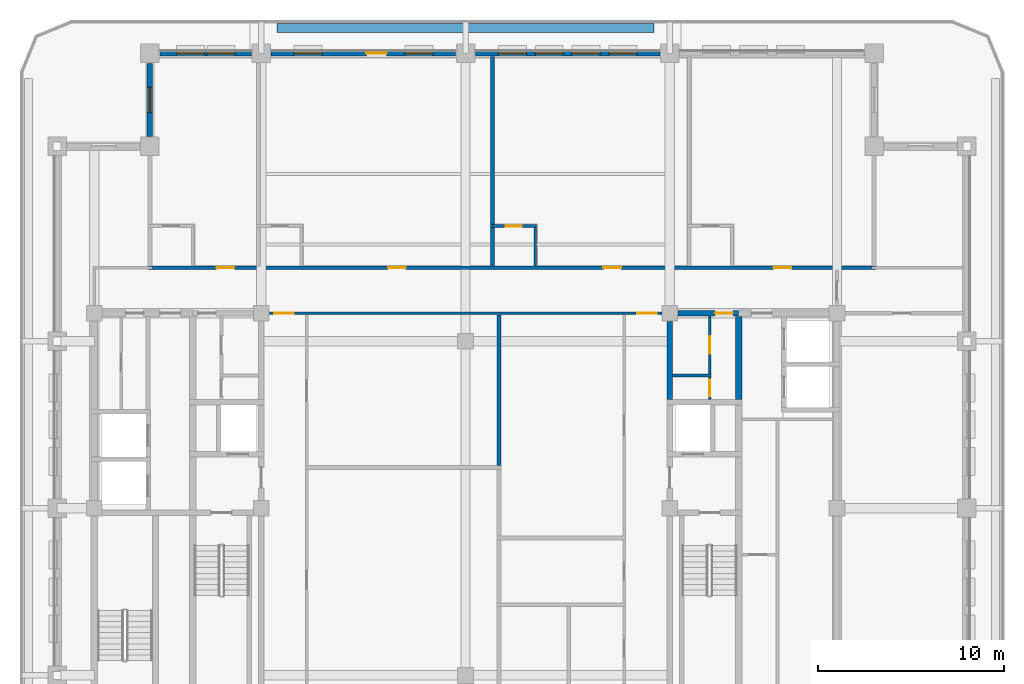
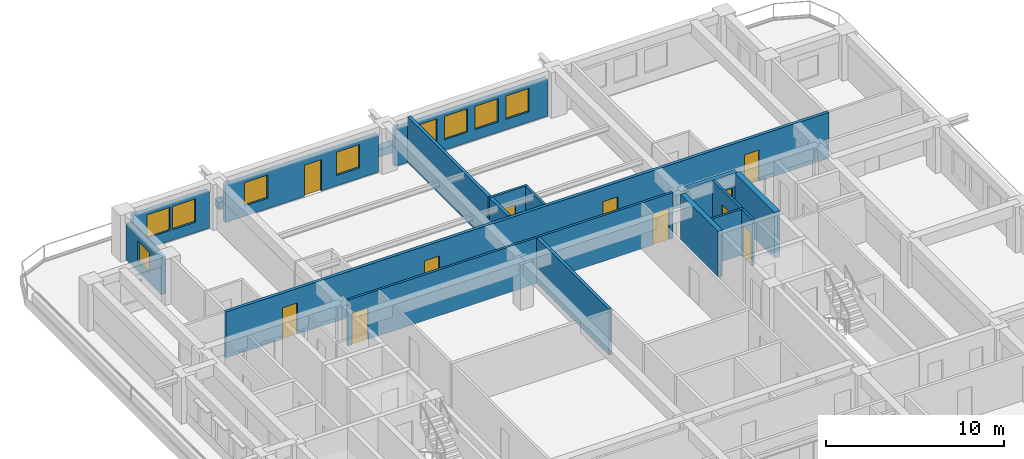
# One storey, part 6 of 14: 18 walls, 11 doors, 9 windows, 20 openings.
"""IFC4 building model written with IfcOpenShell, lengths in metres."""

from ifc_helpers import new_model, si_unit, direction, frame, frame_2d, origin, place, context, subcontext, project, spatial, rectangle, extrude, material, layer, layer_set, type_object, element, fill, save


model = new_model("IFC4")

# Units and contexts
model_context = context("Model", 3, precision=1e-05, world=origin(), true_north=direction((0.0, 1.0)))
body_context = subcontext(model_context, "Body", "Model", "MODEL_VIEW")
ifc_project = project(units=[si_unit("LENGTHUNIT", "METRE"), si_unit("AREAUNIT", "SQUARE_METRE"), si_unit("VOLUMEUNIT", "CUBIC_METRE"), si_unit("PLANEANGLEUNIT", "RADIAN"), si_unit("MASSUNIT", "GRAM", prefix="KILO")], contexts=[model_context])

# Site, building, storey
site_placement = place(None, origin())
site = spatial("IfcSite", under=ifc_project, at=site_placement, CompositionType="ELEMENT")
building_placement = place(site_placement, origin())
building = spatial("IfcBuilding", under=site, at=building_placement, Name="Zulmaris Gate Convention Tower", CompositionType="ELEMENT")
storey_placement = place(building_placement, frame((0.0, 0.0, 162.659912109375)))
storey = spatial("IfcBuildingStorey", under=building, at=storey_placement, Name="L41", CompositionType="ELEMENT", Elevation=162.659912109375)

# Wall, opening, door
ifc_material_1 = material(Name="Concrete C50/60", Category="concrete")
ifc_layer_1 = layer(ifc_material_1, 0.300048828125, Name="Concrete C50/60")
ifc_layer_set_1 = layer_set([ifc_layer_1], Name="Concrete C50/60")
wall_type_1 = type_object("IfcWallType", Name="CORE-300", PredefinedType="SHEAR", material=ifc_layer_set_1)
wall_1_placement = place(storey_placement, frame((11.428955078125, 10.5, 0.0), z_axis=(0.0, 0.0, 1.0), x_axis=(1.0, 0.0, 0.0)))
wall_1 = element("IfcWall", 1, at=wall_1_placement, inside=storey, type_object=wall_type_1, Name="WL-L41-017", PredefinedType="SHEAR", context=body_context, shape_type="SweptSolid", body=[
    extrude(rectangle(XDim=3.27099609375, YDim=0.300048828125, at=frame_2d((1.635498046875, 0.0))), origin(), (0.0, 0.0, 1.0), 3.14990234375),
])
opening_1_placement = place(wall_1_placement, frame((2.01611328125, 0.0, 0.0)))
opening_1 = element("IfcOpeningElement", 2, at=opening_1_placement, cuts=wall_1, Name="Opening D-11", PredefinedType="OPENING", context=body_context, shape_type="SweptSolid", body=[
    extrude(rectangle(XDim=0.949951171875, YDim=2.14990234375, at=frame_2d((0.47509765625, 1.074951171875))), frame((0.0, 0.16015625, 0.0), z_axis=(0.0, -1.0, 0.0), x_axis=(1.0, 0.0, 0.0)), (0.0, 0.0, 1.0), 0.320068359375),
])
ifc_material_2 = material(Name="Fire-Rated Timber", Category="wood")
door_type_1 = type_object("IfcDoorType", Name="DR-950-FD", OperationType="NOTDEFINED", PredefinedType="DOOR", material=ifc_material_2)
door_1_placement = place(opening_1_placement, origin())
door_1 = element("IfcDoor", 3, at=door_1_placement, inside=storey, type_object=door_type_1, Name="L41 Core East Passage Door 10", OperationType="SINGLE_SWING_LEFT", OverallHeight=2.14990234375, OverallWidth=0.949951171875, PredefinedType="DOOR", context=body_context, shape_type="SweptSolid", body=[
    extrude(rectangle(XDim=0.949951171875, YDim=2.14990234375, at=frame_2d((0.47509765625, 1.074951171875))), frame((0.0, 0.02490234375, 0.0), z_axis=(0.0, -1.0, 0.0), x_axis=(1.0, 0.0, 0.0)), (0.0, 0.0, 1.0), 0.050048828125),
])
fill(opening_1, door_1)

# Walls
wall_2_placement = place(storey_placement, frame((11.0, 5.85205078125, 0.0), z_axis=(0.0, 0.0, 1.0), x_axis=(0.0, 1.0, 0.0)))
element("IfcWall", 4, at=wall_2_placement, inside=storey, type_object=wall_type_1, Name="WL-L41-062", PredefinedType="SHEAR", context=body_context, shape_type="SweptSolid", body=[
    extrude(rectangle(XDim=4.218994140625, YDim=0.300048828125, at=frame_2d((2.109375, 0.0))), origin(), (0.0, 0.0, 1.0), 3.14990234375),
])
ifc_material_3 = material(Name="Concrete C55/67", Category="concrete")
ifc_layer_2 = layer(ifc_material_3, 0.35009765625, Name="Concrete C55/67")
ifc_layer_set_2 = layer_set([ifc_layer_2], Name="Concrete C55/67")
wall_type_2 = type_object("IfcWallType", Name="CORE-350", PredefinedType="SHEAR", material=ifc_layer_set_2)
wall_3_placement = place(storey_placement, frame((14.699951171875, 5.85205078125, 0.0), z_axis=(0.0, 0.0, 1.0), x_axis=(0.0, 1.0, 0.0)))
element("IfcWall", 5, at=wall_3_placement, inside=storey, type_object=wall_type_2, Name="WL-L41-068", PredefinedType="SHEAR", context=body_context, shape_type="SweptSolid", body=[
    extrude(rectangle(XDim=4.470947265625, YDim=0.35009765625, at=frame_2d((2.2353515625, 0.0))), origin(), (0.0, 0.0, 1.0), 3.14990234375),
])
ifc_material_4 = material(Name="Gypsum Metal Stud Partition")
ifc_layer_3 = layer(ifc_material_4, 0.14990234375, Name="Gypsum Metal Stud Partition")
ifc_layer_set_3 = layer_set([ifc_layer_3], Name="Gypsum Metal Stud Partition")
wall_type_3 = type_object("IfcWallType", Name="PART-150", PredefinedType="PARTITIONING", material=ifc_layer_set_3)
wall_4_placement = place(storey_placement, frame((11.153076171875, 7.14990234375, 0.0), z_axis=(0.0, 0.0, 1.0), x_axis=(1.0, 0.0, 0.0)))
element("IfcWall", 6, at=wall_4_placement, inside=storey, type_object=wall_type_3, Name="WL-L41-032", PredefinedType="PARTITIONING", context=body_context, shape_type="SweptSolid", body=[
    extrude(rectangle(XDim=2.072021484375, YDim=0.14990234375, at=frame_2d((1.0361328125, 0.0))), origin(), (0.0, 0.0, 1.0), 3.14990234375),
])

# Wall, openings, doors
wall_5_placement = place(storey_placement, frame((-10.569091796875, 10.5, 0.0), z_axis=(0.0, 0.0, 1.0), x_axis=(1.0, 0.0, 0.0)))
wall_5 = element("IfcWall", 7, at=wall_5_placement, inside=storey, type_object=wall_type_3, Name="WL-L41-033", PredefinedType="PARTITIONING", context=body_context, shape_type="SweptSolid", body=[
    extrude(rectangle(XDim=21.13818359375, YDim=0.14990234375, at=frame_2d((10.569091796875, 0.0))), origin(), (0.0, 0.0, 1.0), 3.14990234375),
])
opening_2_placement = place(wall_5_placement, frame((0.263916015625, 0.0, 0.0)))
opening_2 = element("IfcOpeningElement", 8, at=opening_2_placement, cuts=wall_5, Name="Opening D-09", PredefinedType="OPENING", context=body_context, shape_type="SweptSolid", body=[
    extrude(rectangle(XDim=1.050048828125, YDim=2.14990234375, at=frame_2d((0.52490234375, 1.074951171875))), frame((0.0, 0.0849609375, 0.0), z_axis=(0.0, -1.0, 0.0), x_axis=(1.0, 0.0, 0.0)), (0.0, 0.0, 1.0), 0.169921875),
])
opening_3_placement = place(wall_5_placement, frame((19.823974609375, 0.0, 0.0)))
opening_3 = element("IfcOpeningElement", 9, at=opening_3_placement, cuts=wall_5, Name="Opening D-09", PredefinedType="OPENING", context=body_context, shape_type="SweptSolid", body=[
    extrude(rectangle(XDim=1.050048828125, YDim=2.14990234375, at=frame_2d((0.52490234375, 1.074951171875))), frame((0.0, 0.0849609375, 0.0), z_axis=(0.0, -1.0, 0.0), x_axis=(1.0, 0.0, 0.0)), (0.0, 0.0, 1.0), 0.169921875),
])
ifc_material_5 = material(Name="Fire-Rated Steel", Category="steel")
door_type_2 = type_object("IfcDoorType", Name="DR-1050-FD", OperationType="NOTDEFINED", PredefinedType="DOOR", material=ifc_material_5)
door_2_placement = place(opening_2_placement, origin())
door_2 = element("IfcDoor", 10, at=door_2_placement, inside=storey, type_object=door_type_2, Name="L41 NW Hotel Loop Door 25", OperationType="SINGLE_SWING_RIGHT", OverallHeight=2.14990234375, OverallWidth=1.050048828125, PredefinedType="DOOR", context=body_context, shape_type="SweptSolid", body=[
    extrude(rectangle(XDim=1.050048828125, YDim=2.14990234375, at=frame_2d((0.52490234375, 1.074951171875))), frame((0.0, 0.02490234375, 0.0), z_axis=(0.0, -1.0, 0.0), x_axis=(1.0, 0.0, 0.0)), (0.0, 0.0, 1.0), 0.050048828125),
])
fill(opening_2, door_2)
door_3_placement = place(opening_3_placement, origin())
door_3 = element("IfcDoor", 11, at=door_3_placement, inside=storey, type_object=door_type_2, Name="L41 NE Hotel Loop Door 27", OperationType="SINGLE_SWING_RIGHT", OverallHeight=2.14990234375, OverallWidth=1.050048828125, PredefinedType="DOOR", context=body_context, shape_type="SweptSolid", body=[
    extrude(rectangle(XDim=1.050048828125, YDim=2.14990234375, at=frame_2d((0.52490234375, 1.074951171875))), frame((0.0, 0.02490234375, 0.0), z_axis=(0.0, -1.0, 0.0), x_axis=(1.0, 0.0, 0.0)), (0.0, 0.0, 1.0), 0.050048828125),
])
fill(opening_3, door_3)

# Wall, opening, door
wall_6_placement = place(storey_placement, frame((1.35009765625, 15.199951171875, 0.0), z_axis=(0.0, 0.0, 1.0), x_axis=(1.0, 0.0, 0.0)))
wall_6 = element("IfcWall", 12, at=wall_6_placement, inside=storey, type_object=wall_type_3, Name="WL-L41-040", PredefinedType="PARTITIONING", context=body_context, shape_type="SweptSolid", body=[
    extrude(rectangle(XDim=2.474853515625, YDim=0.14990234375, at=frame_2d((1.2373046875, 0.0))), origin(), (0.0, 0.0, 1.0), 3.14990234375),
])
opening_4_placement = place(wall_6_placement, frame((0.824951171875, 0.0, 0.0)))
opening_4 = element("IfcOpeningElement", 13, at=opening_4_placement, cuts=wall_6, Name="Opening D-17", PredefinedType="OPENING", context=body_context, shape_type="SweptSolid", body=[
    extrude(rectangle(XDim=0.85009765625, YDim=2.10009765625, at=frame_2d((0.425048828125, 1.050048828125))), frame((0.0, 0.0849609375, 0.0), z_axis=(0.0, -1.0, 0.0), x_axis=(1.0, 0.0, 0.0)), (0.0, 0.0, 1.0), 0.169921875),
])
ifc_material_6 = material(Name="Moisture-Resistant Hardwood Timber", Category="wood")
door_type_3 = type_object("IfcDoorType", Name="DR-850", OperationType="NOTDEFINED", PredefinedType="DOOR", material=ifc_material_6)
door_4_placement = place(opening_4_placement, origin())
door_4 = element("IfcDoor", 14, at=door_4_placement, inside=storey, type_object=door_type_3, Name="L41 En-Suite Door 34", OperationType="SINGLE_SWING_LEFT", OverallHeight=2.10009765625, OverallWidth=0.85009765625, PredefinedType="DOOR", context=body_context, shape_type="SweptSolid", body=[
    extrude(rectangle(XDim=0.85009765625, YDim=2.10009765625, at=frame_2d((0.425048828125, 1.050048828125))), frame((0.0, 0.02490234375, 0.0), z_axis=(0.0, -1.0, 0.0), x_axis=(1.0, 0.0, 0.0)), (0.0, 0.0, 1.0), 0.050048828125),
])
fill(opening_4, door_4)

# Wall
wall_7_placement = place(storey_placement, frame((3.75, 13.052978515625, 0.0), z_axis=(0.0, 0.0, 1.0), x_axis=(0.0, 1.0, 0.0)))
element("IfcWall", 15, at=wall_7_placement, inside=storey, type_object=wall_type_3, Name="WL-L41-099", PredefinedType="PARTITIONING", context=body_context, shape_type="SweptSolid", body=[
    extrude(rectangle(XDim=2.069091796875, YDim=0.14990234375, at=frame_2d((1.03466796875, 0.0))), origin(), (0.0, 0.0, 1.0), 3.14990234375),
])

# Wall, opening, door
wall_8_placement = place(storey_placement, frame((13.14990234375, 5.85302734375, 0.0), z_axis=(0.0, 0.0, 1.0), x_axis=(0.0, 1.0, 0.0)))
wall_8 = element("IfcWall", 16, at=wall_8_placement, inside=storey, type_object=wall_type_3, Name="WL-L41-109", PredefinedType="PARTITIONING", context=body_context, shape_type="SweptSolid", body=[
    extrude(rectangle(XDim=1.218994140625, YDim=0.14990234375, at=frame_2d((0.609375, 0.0))), origin(), (0.0, 0.0, 1.0), 3.14990234375),
])
opening_5_placement = place(wall_8_placement, frame((0.1689453125, 0.0, 0.0)))
opening_5 = element("IfcOpeningElement", 17, at=opening_5_placement, cuts=wall_8, Name="Opening D-12", PredefinedType="OPENING", context=body_context, shape_type="SweptSolid", body=[
    extrude(rectangle(XDim=0.89990234375, YDim=2.14990234375, at=frame_2d((0.449951171875, 1.074951171875))), frame((0.0, 0.0849609375, 0.0), z_axis=(0.0, -1.0, 0.0), x_axis=(1.0, 0.0, 0.0)), (0.0, 0.0, 1.0), 0.169921875),
])
door_type_4 = type_object("IfcDoorType", Name="DR-900-FD", OperationType="NOTDEFINED", PredefinedType="DOOR", material=ifc_material_2)
door_5_placement = place(opening_5_placement, origin())
door_5 = element("IfcDoor", 18, at=door_5_placement, inside=storey, type_object=door_type_4, Name="L41 Core Staff WC Door 11", OperationType="SINGLE_SWING_RIGHT", OverallHeight=2.14990234375, OverallWidth=0.89990234375, PredefinedType="DOOR", context=body_context, shape_type="SweptSolid", body=[
    extrude(rectangle(XDim=0.89990234375, YDim=2.14990234375, at=frame_2d((0.449951171875, 1.074951171875))), frame((0.0, 0.02490234375, 0.0), z_axis=(0.0, -1.0, 0.0), x_axis=(1.0, 0.0, 0.0)), (0.0, 0.0, 1.0), 0.050048828125),
])
fill(opening_5, door_5)

wall_9_placement = place(storey_placement, frame((13.14990234375, 7.22802734375, 0.0), z_axis=(0.0, 0.0, 1.0), x_axis=(0.0, 1.0, 0.0)))
wall_9 = element("IfcWall", 19, at=wall_9_placement, inside=storey, type_object=wall_type_3, Name="WL-L41-110", PredefinedType="PARTITIONING", context=body_context, shape_type="SweptSolid", body=[
    extrude(rectangle(XDim=3.118896484375, YDim=0.14990234375, at=frame_2d((1.5595703125, 0.0))), origin(), (0.0, 0.0, 1.0), 3.14990234375),
])
opening_6_placement = place(wall_9_placement, frame((1.096923828125, 0.0, 0.0)))
opening_6 = element("IfcOpeningElement", 20, at=opening_6_placement, cuts=wall_9, Name="Opening D-11", PredefinedType="OPENING", context=body_context, shape_type="SweptSolid", body=[
    extrude(rectangle(XDim=0.949951171875, YDim=2.14990234375, at=frame_2d((0.47509765625, 1.074951171875))), frame((0.0, 0.0849609375, 0.0), z_axis=(0.0, -1.0, 0.0), x_axis=(1.0, 0.0, 0.0)), (0.0, 0.0, 1.0), 0.169921875),
])
door_6_placement = place(opening_6_placement, origin())
door_6 = element("IfcDoor", 21, at=door_6_placement, inside=storey, type_object=door_type_1, Name="L41 Core Hygiene Store Door 12", OperationType="SINGLE_SWING_LEFT", OverallHeight=2.14990234375, OverallWidth=0.949951171875, PredefinedType="DOOR", context=body_context, shape_type="SweptSolid", body=[
    extrude(rectangle(XDim=0.949951171875, YDim=2.14990234375, at=frame_2d((0.47509765625, 1.074951171875))), frame((0.0, 0.02490234375, 0.0), z_axis=(0.0, -1.0, 0.0), x_axis=(1.0, 0.0, 0.0)), (0.0, 0.0, 1.0), 0.050048828125),
])
fill(opening_6, door_6)

# Wall, openings, doors
ifc_material_7 = material(Name="Autoclaved Aerated Concrete Block and Plasterboard", Category="concrete")
ifc_layer_4 = layer(ifc_material_7, 0.199951171875, Name="Autoclaved Aerated Concrete Block and Plasterboard")
ifc_layer_set_4 = layer_set([ifc_layer_4], Name="Autoclaved Aerated Concrete Block and Plasterboard")
wall_type_4 = type_object("IfcWallType", Name="PART-200", PredefinedType="PARTITIONING", material=ifc_layer_set_4)
wall_10_placement = place(storey_placement, frame((-17.10009765625, 12.949951171875, 0.0), z_axis=(0.0, 0.0, 1.0), x_axis=(1.0, 0.0, 0.0)))
wall_10 = element("IfcWall", 22, at=wall_10_placement, inside=storey, type_object=wall_type_4, Name="WL-L41-036", PredefinedType="PARTITIONING", context=body_context, shape_type="SweptSolid", body=[
    extrude(rectangle(XDim=39.2001953125, YDim=0.199951171875, at=frame_2d((19.60009765625, 0.0))), origin(), (0.0, 0.0, 1.0), 3.14990234375),
])
opening_7_placement = place(wall_10_placement, frame((3.695068359375, 0.0, 0.0)))
opening_7 = element("IfcOpeningElement", 23, at=opening_7_placement, cuts=wall_10, Name="Opening D-11", PredefinedType="OPENING", context=body_context, shape_type="SweptSolid", body=[
    extrude(rectangle(XDim=0.949951171875, YDim=2.14990234375, at=frame_2d((0.47509765625, 1.074951171875))), frame((0.0, 0.10986328125, 0.0), z_axis=(0.0, -1.0, 0.0), x_axis=(1.0, 0.0, 0.0)), (0.0, 0.0, 1.0), 0.219970703125),
])
opening_8_placement = place(wall_10_placement, frame((12.925048828125, 0.0, 0.0)))
opening_8 = element("IfcOpeningElement", 24, at=opening_8_placement, cuts=wall_10, Name="Opening D-11", PredefinedType="OPENING", context=body_context, shape_type="SweptSolid", body=[
    extrude(rectangle(XDim=0.949951171875, YDim=2.14990234375, at=frame_2d((0.47509765625, 1.074951171875))), frame((0.0, 0.10986328125, 0.0), z_axis=(0.0, -1.0, 0.0), x_axis=(1.0, 0.0, 0.0)), (0.0, 0.0, 1.0), 0.219970703125),
])
opening_9_placement = place(wall_10_placement, frame((24.52490234375, 0.0, 0.0)))
opening_9 = element("IfcOpeningElement", 25, at=opening_9_placement, cuts=wall_10, Name="Opening D-11", PredefinedType="OPENING", context=body_context, shape_type="SweptSolid", body=[
    extrude(rectangle(XDim=0.949951171875, YDim=2.14990234375, at=frame_2d((0.47509765625, 1.074951171875))), frame((0.0, 0.10986328125, 0.0), z_axis=(0.0, -1.0, 0.0), x_axis=(1.0, 0.0, 0.0)), (0.0, 0.0, 1.0), 0.219970703125),
])
opening_10_placement = place(wall_10_placement, frame((33.695068359375, 0.0, 0.0)))
opening_10 = element("IfcOpeningElement", 26, at=opening_10_placement, cuts=wall_10, Name="Opening D-11", PredefinedType="OPENING", context=body_context, shape_type="SweptSolid", body=[
    extrude(rectangle(XDim=0.949951171875, YDim=2.14990234375, at=frame_2d((0.47509765625, 1.074951171875))), frame((0.0, 0.10986328125, 0.0), z_axis=(0.0, -1.0, 0.0), x_axis=(1.0, 0.0, 0.0)), (0.0, 0.0, 1.0), 0.219970703125),
])
door_7_placement = place(opening_7_placement, origin())
door_7 = element("IfcDoor", 27, at=door_7_placement, inside=storey, type_object=door_type_1, Name="L41 Hotel Diplomatic Suite Door 29", OperationType="SINGLE_SWING_RIGHT", OverallHeight=2.14990234375, OverallWidth=0.949951171875, PredefinedType="DOOR", context=body_context, shape_type="SweptSolid", body=[
    extrude(rectangle(XDim=0.949951171875, YDim=2.14990234375, at=frame_2d((0.47509765625, 1.074951171875))), frame((0.0, 0.02490234375, 0.0), z_axis=(0.0, -1.0, 0.0), x_axis=(1.0, 0.0, 0.0)), (0.0, 0.0, 1.0), 0.050048828125),
])
fill(opening_7, door_7)
door_8_placement = place(opening_8_placement, origin())
door_8 = element("IfcDoor", 28, at=door_8_placement, inside=storey, type_object=door_type_1, Name="L41 Hotel Diplomatic Suite Door 31", OperationType="SINGLE_SWING_RIGHT", OverallHeight=2.14990234375, OverallWidth=0.949951171875, PredefinedType="DOOR", context=body_context, shape_type="SweptSolid", body=[
    extrude(rectangle(XDim=0.949951171875, YDim=2.14990234375, at=frame_2d((0.47509765625, 1.074951171875))), frame((0.0, 0.02490234375, 0.0), z_axis=(0.0, -1.0, 0.0), x_axis=(1.0, 0.0, 0.0)), (0.0, 0.0, 1.0), 0.050048828125),
])
fill(opening_8, door_8)
door_9_placement = place(opening_9_placement, origin())
door_9 = element("IfcDoor", 29, at=door_9_placement, inside=storey, type_object=door_type_1, Name="L41 Hotel Diplomatic Suite Door 33", OperationType="SINGLE_SWING_RIGHT", OverallHeight=2.14990234375, OverallWidth=0.949951171875, PredefinedType="DOOR", context=body_context, shape_type="SweptSolid", body=[
    extrude(rectangle(XDim=0.949951171875, YDim=2.14990234375, at=frame_2d((0.47509765625, 1.074951171875))), frame((0.0, 0.02490234375, 0.0), z_axis=(0.0, -1.0, 0.0), x_axis=(1.0, 0.0, 0.0)), (0.0, 0.0, 1.0), 0.050048828125),
])
fill(opening_9, door_9)
door_10_placement = place(opening_10_placement, origin())
door_10 = element("IfcDoor", 30, at=door_10_placement, inside=storey, type_object=door_type_1, Name="L41 Hotel Diplomatic Suite Door 35", OperationType="SINGLE_SWING_RIGHT", OverallHeight=2.14990234375, OverallWidth=0.949951171875, PredefinedType="DOOR", context=body_context, shape_type="SweptSolid", body=[
    extrude(rectangle(XDim=0.949951171875, YDim=2.14990234375, at=frame_2d((0.47509765625, 1.074951171875))), frame((0.0, 0.02490234375, 0.0), z_axis=(0.0, -1.0, 0.0), x_axis=(1.0, 0.0, 0.0)), (0.0, 0.0, 1.0), 0.050048828125),
])
fill(opening_10, door_10)

# Walls
wall_11_placement = place(storey_placement, frame((1.449951171875, 13.052978515625, 0.0), z_axis=(0.0, 0.0, 1.0), x_axis=(0.0, 1.0, 0.0)))
element("IfcWall", 31, at=wall_11_placement, inside=storey, type_object=wall_type_4, Name="WL-L41-093", PredefinedType="PARTITIONING", context=body_context, shape_type="SweptSolid", body=[
    extrude(rectangle(XDim=2.069091796875, YDim=0.199951171875, at=frame_2d((1.03466796875, 0.0))), origin(), (0.0, 0.0, 1.0), 3.14990234375),
])
wall_12_placement = place(storey_placement, frame((1.449951171875, 15.278076171875, 0.0), z_axis=(0.0, 0.0, 1.0), x_axis=(0.0, 1.0, 0.0)))
element("IfcWall", 32, at=wall_12_placement, inside=storey, type_object=wall_type_4, Name="WL-L41-094", PredefinedType="PARTITIONING", context=body_context, shape_type="SweptSolid", body=[
    extrude(rectangle(XDim=9.056884765625, YDim=0.199951171875, at=frame_2d((4.5283203125, 0.0))), origin(), (0.0, 0.0, 1.0), 3.14990234375),
])
wall_13_placement = place(storey_placement, frame((1.800048828125, 2.302978515625, 0.0), z_axis=(0.0, 0.0, 1.0), x_axis=(0.0, 1.0, 0.0)))
element("IfcWall", 33, at=wall_13_placement, inside=storey, type_object=wall_type_4, Name="WL-L41-098", PredefinedType="PARTITIONING", context=body_context, shape_type="SweptSolid", body=[
    extrude(rectangle(XDim=8.119140625, YDim=0.199951171875, at=frame_2d((4.0595703125, 0.0))), origin(), (0.0, 0.0, 1.0), 3.14990234375),
])
ifc_material_8 = material(Name="Botanical Green Glazed Precast Concrete C40/50", Category="concrete")
ifc_layer_5 = layer(ifc_material_8, 0.419921875, Name="Botanical Green Glazed Precast Concrete C40/50")
ifc_layer_set_5 = layer_set([ifc_layer_5], Name="Botanical Green Glazed Precast Concrete C40/50")
wall_type_5 = type_object("IfcWallType", Name="PLANTER-CURB-200", PredefinedType="PARAPET", material=ifc_layer_set_5)
wall_14_placement = place(storey_placement, frame((-10.14990234375, 25.8798828125, -0.0400390625), z_axis=(0.0, 0.0, 1.0), x_axis=(1.0, 0.0, 0.0)))
element("IfcWall", 34, at=wall_14_placement, inside=storey, type_object=wall_type_5, Name="L41 Full-Length Balcony Tree Planter Trough", PredefinedType="PARAPET", context=body_context, shape_type="SweptSolid", body=[
    extrude(rectangle(XDim=20.2998046875, YDim=0.47998046875, at=frame_2d((10.14990234375, 0.0))), origin(), (0.0, 0.0, 1.0), 0.52001953125),
])

# Wall, opening, window
ifc_material_9 = material(Name="Precast concrete C40/50", Category="concrete")
ifc_layer_6 = layer(ifc_material_9, 0.300048828125, Name="Precast concrete C40/50")
ifc_layer_set_6 = layer_set([ifc_layer_6], Name="Precast concrete C40/50")
wall_type_6 = type_object("IfcWallType", Name="PRECAST-PIER-300", PredefinedType="STANDARD", material=ifc_layer_set_6)
wall_15_placement = place(storey_placement, frame((-17.0, 23.969970703125, 0.0), z_axis=(0.0, 0.0, 1.0), x_axis=(0.0, -1.0, 0.0)))
wall_15 = element("IfcWall", 35, at=wall_15_placement, inside=storey, type_object=wall_type_6, Name="EW-L41-NOTCH-NW1_0", PredefinedType="STANDARD", context=body_context, shape_type="SweptSolid", body=[
    extrude(rectangle(XDim=3.93994140625, YDim=0.300048828125, at=frame_2d((1.969970703125, 0.0))), origin(), (0.0, 0.0, 1.0), 2.5419921875),
])
opening_11_placement = place(wall_15_placement, frame((1.294921875, 0.0, 0.679931640625)))
opening_11 = element("IfcOpeningElement", 36, at=opening_11_placement, cuts=wall_15, Name="Opening W-10", PredefinedType="OPENING", context=body_context, shape_type="SweptSolid", body=[
    extrude(rectangle(XDim=1.35009765625, YDim=1.419921875, at=frame_2d((0.675048828125, 0.7099609375))), frame((0.0, 0.16015625, 0.0), z_axis=(0.0, -1.0, 0.0), x_axis=(1.0, 0.0, 0.0)), (0.0, 0.0, 1.0), 0.320068359375),
])
ifc_material_10 = material(Name="Low-E Laminated Double Glazing in Aluminium Frame", Category="aluminium")
window_type_1 = type_object("IfcWindowType", Name="WIN-1350x2000", PartitioningType="SINGLE_PANEL", PredefinedType="WINDOW", material=ifc_material_10)
window_1_placement = place(opening_11_placement, origin())
window_1 = element("IfcWindow", 37, at=window_1_placement, inside=storey, type_object=window_type_1, Name="WN-EW-L41-NOTCH-NW1_0", OverallHeight=1.419921875, OverallWidth=1.35009765625, PartitioningType="SINGLE_PANEL", PredefinedType="WINDOW", context=body_context, shape_type="SweptSolid", body=[
    extrude(rectangle(XDim=1.35009765625, YDim=1.419921875, at=frame_2d((0.675048828125, 0.7099609375))), frame((0.0, 0.030029296875, 0.0), z_axis=(0.0, -1.0, 0.0), x_axis=(1.0, 0.0, 0.0)), (0.0, 0.0, 1.0), 0.06005859375),
])
fill(opening_11, window_1)

# Wall, openings, windows
wall_16_placement = place(storey_placement, frame((-11.530029296875, 24.5, 0.0), z_axis=(0.0, 0.0, 1.0), x_axis=(-1.0, 0.0, 0.0)))
wall_16 = element("IfcWall", 38, at=wall_16_placement, inside=storey, type_object=wall_type_6, Name="EW-L41-N-0_0", PredefinedType="STANDARD", context=body_context, shape_type="SweptSolid", body=[
    extrude(rectangle(XDim=4.93994140625, YDim=0.300048828125, at=frame_2d((2.469970703125, 0.0))), origin(), (0.0, 0.0, 1.0), 2.5419921875),
])
opening_12_placement = place(wall_16_placement, frame((0.89697265625, 0.0, 0.719970703125)))
opening_12 = element("IfcOpeningElement", 39, at=opening_12_placement, cuts=wall_16, Name="Opening W-03", PredefinedType="OPENING", context=body_context, shape_type="SweptSolid", body=[
    extrude(rectangle(XDim=1.5, YDim=1.60009765625, at=frame_2d((0.75, 0.800048828125))), frame((0.0, 0.16015625, 0.0), z_axis=(0.0, -1.0, 0.0), x_axis=(1.0, 0.0, 0.0)), (0.0, 0.0, 1.0), 0.320068359375),
])
opening_13_placement = place(wall_16_placement, frame((2.54296875, 0.0, 0.719970703125)))
opening_13 = element("IfcOpeningElement", 40, at=opening_13_placement, cuts=wall_16, Name="Opening W-03", PredefinedType="OPENING", context=body_context, shape_type="SweptSolid", body=[
    extrude(rectangle(XDim=1.5, YDim=1.60009765625, at=frame_2d((0.75, 0.800048828125))), frame((0.0, 0.16015625, 0.0), z_axis=(0.0, -1.0, 0.0), x_axis=(1.0, 0.0, 0.0)), (0.0, 0.0, 1.0), 0.320068359375),
])
window_type_2 = type_object("IfcWindowType", Name="WIN-1500x2100", PartitioningType="SINGLE_PANEL", PredefinedType="WINDOW", material=ifc_material_10)
window_2_placement = place(opening_12_placement, origin())
window_2 = element("IfcWindow", 41, at=window_2_placement, inside=storey, type_object=window_type_2, Name="WN-EW-L41-N-0_0-1", OverallHeight=1.60009765625, OverallWidth=1.5, PartitioningType="SINGLE_PANEL", PredefinedType="WINDOW", context=body_context, shape_type="SweptSolid", body=[
    extrude(rectangle(XDim=1.5, YDim=1.60009765625, at=frame_2d((0.75, 0.800048828125))), frame((0.0, 0.030029296875, 0.0), z_axis=(0.0, -1.0, 0.0), x_axis=(1.0, 0.0, 0.0)), (0.0, 0.0, 1.0), 0.06005859375),
])
fill(opening_12, window_2)
window_3_placement = place(opening_13_placement, origin())
window_3 = element("IfcWindow", 42, at=window_3_placement, inside=storey, type_object=window_type_2, Name="WN-EW-L41-N-0_0-2", OverallHeight=1.60009765625, OverallWidth=1.5, PartitioningType="SINGLE_PANEL", PredefinedType="WINDOW", context=body_context, shape_type="SweptSolid", body=[
    extrude(rectangle(XDim=1.5, YDim=1.60009765625, at=frame_2d((0.75, 0.800048828125))), frame((0.0, 0.030029296875, 0.0), z_axis=(0.0, -1.0, 0.0), x_axis=(1.0, 0.0, 0.0)), (0.0, 0.0, 1.0), 0.06005859375),
])
fill(opening_13, window_3)

# Wall, openings, door, windows
wall_17_placement = place(storey_placement, frame((-0.530029296875, 24.5, 0.0), z_axis=(0.0, 0.0, 1.0), x_axis=(-1.0, 0.0, 0.0)))
wall_17 = element("IfcWall", 43, at=wall_17_placement, inside=storey, type_object=wall_type_6, Name="EW-L41-N-1_0", PredefinedType="STANDARD", context=body_context, shape_type="SweptSolid", body=[
    extrude(rectangle(XDim=9.93994140625, YDim=0.300048828125, at=frame_2d((4.969970703125, 0.0))), origin(), (0.0, 0.0, 1.0), 2.5419921875),
])
opening_14_placement = place(wall_17_placement, frame((3.717041015625, 0.0, 0.0)))
opening_14 = element("IfcOpeningElement", 44, at=opening_14_placement, cuts=wall_17, Name="Opening D-04", PredefinedType="OPENING", context=body_context, shape_type="SweptSolid", body=[
    extrude(rectangle(XDim=1.10009765625, YDim=2.14990234375, at=frame_2d((0.550048828125, 1.074951171875))), frame((0.0, 0.16015625, 0.0), z_axis=(0.0, -1.0, 0.0), x_axis=(1.0, 0.0, 0.0)), (0.0, 0.0, 1.0), 0.320068359375),
])
opening_15_placement = place(wall_17_placement, frame((1.238037109375, 0.0, 0.719970703125)))
opening_15 = element("IfcOpeningElement", 45, at=opening_15_placement, cuts=wall_17, Name="Opening W-03", PredefinedType="OPENING", context=body_context, shape_type="SweptSolid", body=[
    extrude(rectangle(XDim=1.5, YDim=1.60009765625, at=frame_2d((0.75, 0.800048828125))), frame((0.0, 0.16015625, 0.0), z_axis=(0.0, -1.0, 0.0), x_axis=(1.0, 0.0, 0.0)), (0.0, 0.0, 1.0), 0.320068359375),
])
opening_16_placement = place(wall_17_placement, frame((7.201904296875, 0.0, 0.719970703125)))
opening_16 = element("IfcOpeningElement", 46, at=opening_16_placement, cuts=wall_17, Name="Opening W-03", PredefinedType="OPENING", context=body_context, shape_type="SweptSolid", body=[
    extrude(rectangle(XDim=1.5, YDim=1.60009765625, at=frame_2d((0.75, 0.800048828125))), frame((0.0, 0.16015625, 0.0), z_axis=(0.0, -1.0, 0.0), x_axis=(1.0, 0.0, 0.0)), (0.0, 0.0, 1.0), 0.320068359375),
])
ifc_material_11 = material(Name="Anodised Aluminium and Laminated Glass", Category="aluminium")
door_type_5 = type_object("IfcDoorType", Name="ED-1100", OperationType="SINGLE_SWING_RIGHT", PredefinedType="DOOR", material=ifc_material_11)
door_11_placement = place(opening_14_placement, origin())
door_11 = element("IfcDoor", 47, at=door_11_placement, inside=storey, type_object=door_type_5, Name="L41 N Planted Terrace Door", OperationType="SINGLE_SWING_LEFT", OverallHeight=2.14990234375, OverallWidth=1.10009765625, PredefinedType="DOOR", context=body_context, shape_type="SweptSolid", body=[
    extrude(rectangle(XDim=1.10009765625, YDim=2.14990234375, at=frame_2d((0.550048828125, 1.074951171875))), frame((0.0, 0.02490234375, 0.0), z_axis=(0.0, -1.0, 0.0), x_axis=(1.0, 0.0, 0.0)), (0.0, 0.0, 1.0), 0.050048828125),
])
fill(opening_14, door_11)
window_4_placement = place(opening_15_placement, origin())
window_4 = element("IfcWindow", 48, at=window_4_placement, inside=storey, type_object=window_type_2, Name="WN-EW-L41-N-1_0-1", OverallHeight=1.60009765625, OverallWidth=1.5, PartitioningType="SINGLE_PANEL", PredefinedType="WINDOW", context=body_context, shape_type="SweptSolid", body=[
    extrude(rectangle(XDim=1.5, YDim=1.60009765625, at=frame_2d((0.75, 0.800048828125))), frame((0.0, 0.030029296875, 0.0), z_axis=(0.0, -1.0, 0.0), x_axis=(1.0, 0.0, 0.0)), (0.0, 0.0, 1.0), 0.06005859375),
])
fill(opening_15, window_4)
window_5_placement = place(opening_16_placement, origin())
window_5 = element("IfcWindow", 49, at=window_5_placement, inside=storey, type_object=window_type_2, Name="WN-EW-L41-N-1_0-4", OverallHeight=1.60009765625, OverallWidth=1.5, PartitioningType="SINGLE_PANEL", PredefinedType="WINDOW", context=body_context, shape_type="SweptSolid", body=[
    extrude(rectangle(XDim=1.5, YDim=1.60009765625, at=frame_2d((0.75, 0.800048828125))), frame((0.0, 0.030029296875, 0.0), z_axis=(0.0, -1.0, 0.0), x_axis=(1.0, 0.0, 0.0)), (0.0, 0.0, 1.0), 0.06005859375),
])
fill(opening_16, window_5)

# Wall, openings, windows
wall_18_placement = place(storey_placement, frame((10.469970703125, 24.5, 0.0), z_axis=(0.0, 0.0, 1.0), x_axis=(-1.0, 0.0, 0.0)))
wall_18 = element("IfcWall", 50, at=wall_18_placement, inside=storey, type_object=wall_type_6, Name="EW-L41-N-2_0", PredefinedType="STANDARD", context=body_context, shape_type="SweptSolid", body=[
    extrude(rectangle(XDim=9.93994140625, YDim=0.300048828125, at=frame_2d((4.969970703125, 0.0))), origin(), (0.0, 0.0, 1.0), 2.5419921875),
])
opening_17_placement = place(wall_18_placement, frame((1.238037109375, 0.0, 0.719970703125)))
opening_17 = element("IfcOpeningElement", 51, at=opening_17_placement, cuts=wall_18, Name="Opening W-03", PredefinedType="OPENING", context=body_context, shape_type="SweptSolid", body=[
    extrude(rectangle(XDim=1.5, YDim=1.60009765625, at=frame_2d((0.75, 0.800048828125))), frame((0.0, 0.16015625, 0.0), z_axis=(0.0, -1.0, 0.0), x_axis=(1.0, 0.0, 0.0)), (0.0, 0.0, 1.0), 0.320068359375),
])
opening_18_placement = place(wall_18_placement, frame((3.22607421875, 0.0, 0.719970703125)))
opening_18 = element("IfcOpeningElement", 52, at=opening_18_placement, cuts=wall_18, Name="Opening W-03", PredefinedType="OPENING", context=body_context, shape_type="SweptSolid", body=[
    extrude(rectangle(XDim=1.5, YDim=1.60009765625, at=frame_2d((0.75, 0.800048828125))), frame((0.0, 0.16015625, 0.0), z_axis=(0.0, -1.0, 0.0), x_axis=(1.0, 0.0, 0.0)), (0.0, 0.0, 1.0), 0.320068359375),
])
opening_19_placement = place(wall_18_placement, frame((5.214111328125, 0.0, 0.719970703125)))
opening_19 = element("IfcOpeningElement", 53, at=opening_19_placement, cuts=wall_18, Name="Opening W-03", PredefinedType="OPENING", context=body_context, shape_type="SweptSolid", body=[
    extrude(rectangle(XDim=1.5, YDim=1.60009765625, at=frame_2d((0.75, 0.800048828125))), frame((0.0, 0.16015625, 0.0), z_axis=(0.0, -1.0, 0.0), x_axis=(1.0, 0.0, 0.0)), (0.0, 0.0, 1.0), 0.320068359375),
])
opening_20_placement = place(wall_18_placement, frame((7.201904296875, 0.0, 0.719970703125)))
opening_20 = element("IfcOpeningElement", 54, at=opening_20_placement, cuts=wall_18, Name="Opening W-03", PredefinedType="OPENING", context=body_context, shape_type="SweptSolid", body=[
    extrude(rectangle(XDim=1.5, YDim=1.60009765625, at=frame_2d((0.75, 0.800048828125))), frame((0.0, 0.16015625, 0.0), z_axis=(0.0, -1.0, 0.0), x_axis=(1.0, 0.0, 0.0)), (0.0, 0.0, 1.0), 0.320068359375),
])
window_6_placement = place(opening_17_placement, origin())
window_6 = element("IfcWindow", 55, at=window_6_placement, inside=storey, type_object=window_type_2, Name="WN-EW-L41-N-2_0-1", OverallHeight=1.60009765625, OverallWidth=1.5, PartitioningType="SINGLE_PANEL", PredefinedType="WINDOW", context=body_context, shape_type="SweptSolid", body=[
    extrude(rectangle(XDim=1.5, YDim=1.60009765625, at=frame_2d((0.75, 0.800048828125))), frame((0.0, 0.030029296875, 0.0), z_axis=(0.0, -1.0, 0.0), x_axis=(1.0, 0.0, 0.0)), (0.0, 0.0, 1.0), 0.06005859375),
])
fill(opening_17, window_6)
window_7_placement = place(opening_18_placement, origin())
window_7 = element("IfcWindow", 56, at=window_7_placement, inside=storey, type_object=window_type_2, Name="WN-EW-L41-N-2_0-2", OverallHeight=1.60009765625, OverallWidth=1.5, PartitioningType="SINGLE_PANEL", PredefinedType="WINDOW", context=body_context, shape_type="SweptSolid", body=[
    extrude(rectangle(XDim=1.5, YDim=1.60009765625, at=frame_2d((0.75, 0.800048828125))), frame((0.0, 0.030029296875, 0.0), z_axis=(0.0, -1.0, 0.0), x_axis=(1.0, 0.0, 0.0)), (0.0, 0.0, 1.0), 0.06005859375),
])
fill(opening_18, window_7)
window_8_placement = place(opening_19_placement, origin())
window_8 = element("IfcWindow", 57, at=window_8_placement, inside=storey, type_object=window_type_2, Name="WN-EW-L41-N-2_0-3", OverallHeight=1.60009765625, OverallWidth=1.5, PartitioningType="SINGLE_PANEL", PredefinedType="WINDOW", context=body_context, shape_type="SweptSolid", body=[
    extrude(rectangle(XDim=1.5, YDim=1.60009765625, at=frame_2d((0.75, 0.800048828125))), frame((0.0, 0.030029296875, 0.0), z_axis=(0.0, -1.0, 0.0), x_axis=(1.0, 0.0, 0.0)), (0.0, 0.0, 1.0), 0.06005859375),
])
fill(opening_19, window_8)
window_9_placement = place(opening_20_placement, origin())
window_9 = element("IfcWindow", 58, at=window_9_placement, inside=storey, type_object=window_type_2, Name="WN-EW-L41-N-2_0-4", OverallHeight=1.60009765625, OverallWidth=1.5, PartitioningType="SINGLE_PANEL", PredefinedType="WINDOW", context=body_context, shape_type="SweptSolid", body=[
    extrude(rectangle(XDim=1.5, YDim=1.60009765625, at=frame_2d((0.75, 0.800048828125))), frame((0.0, 0.030029296875, 0.0), z_axis=(0.0, -1.0, 0.0), x_axis=(1.0, 0.0, 0.0)), (0.0, 0.0, 1.0), 0.06005859375),
])
fill(opening_20, window_9)

save(model, "model.ifc")
